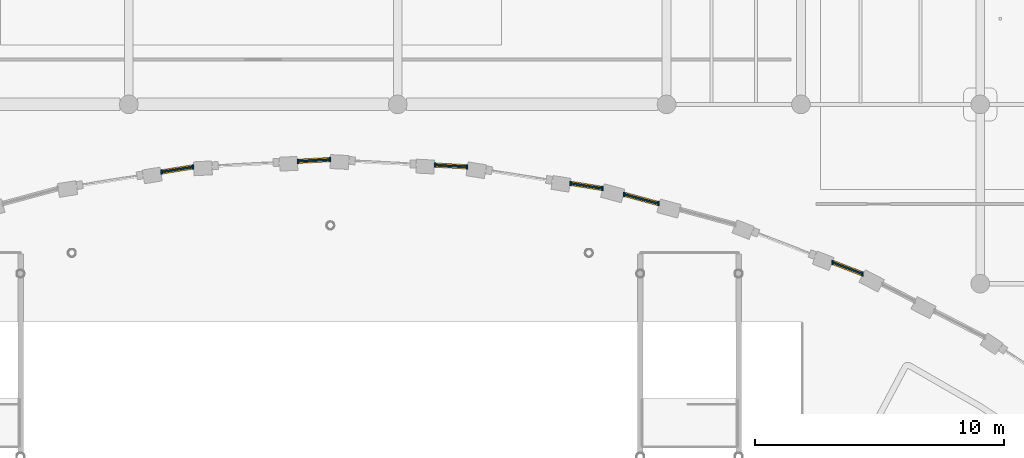
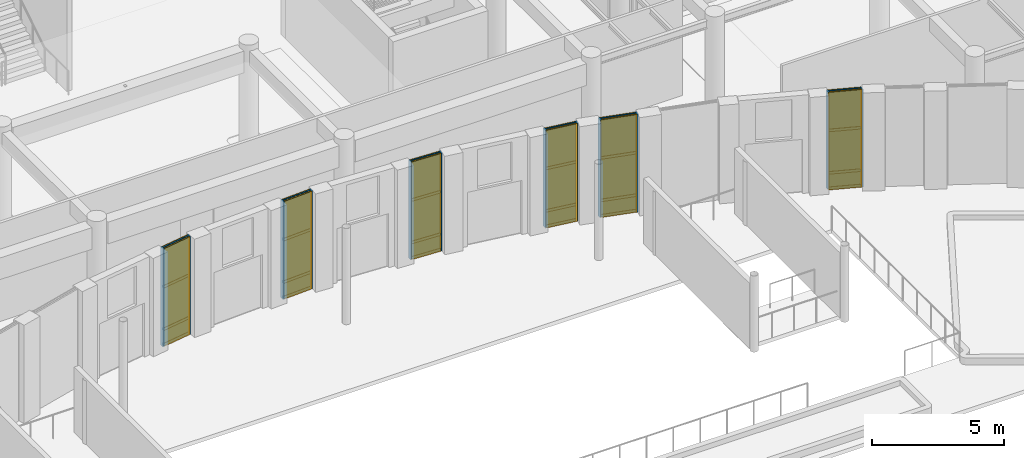
# One storey, part 77 of 122: 36 members, 18 plates, 6 curtain walls.
"""IFC4 building model written with IfcOpenShell, lengths in metres."""

from ifc_helpers import new_model, si_unit, direction, frame, frame_2d, origin, origin_2d, place, context, subcontext, project, spatial, rectangle, extrude, material, layer, layer_set, material_profile, profile_set, type_object, element, aggregate, save


model = new_model("IFC4")

# Units and contexts
model_context = context("Model", 3, precision=1e-05, world=origin(), true_north=direction((0.0, 1.0)))
body_context = subcontext(model_context, "Body", "Model", "MODEL_VIEW")
ifc_project = project(units=[si_unit("LENGTHUNIT", "METRE"), si_unit("AREAUNIT", "SQUARE_METRE"), si_unit("VOLUMEUNIT", "CUBIC_METRE"), si_unit("PLANEANGLEUNIT", "RADIAN"), si_unit("MASSUNIT", "GRAM", prefix="KILO")], contexts=[model_context])

# Member
ifc_material_1 = material(Name="Anodised Bronze Aluminium 6063-T6", Category="aluminium")
ifc_material_profile_1 = material_profile(ifc_material_1, rectangle(XDim=0.06005859375, YDim=0.1201171875, at=origin_2d()), Name="ALU TRANSOM 60x120")
ifc_profile_set_1 = profile_set([ifc_material_profile_1], Name="Anodised Bronze Aluminium 6063-T6")
member_type_1 = type_object("IfcMemberType", Name="Curtain-Wall Light Transom 60x120", PredefinedType="USERDEFINED", material=ifc_profile_set_1)
site_placement = place(None, origin())
building_placement = place(site_placement, origin())
storey_placement = place(building_placement, origin())
member_1_placement = place(storey_placement, frame((69.7392578125, 20.291259765625, 0.0400390625), z_axis=(0.987386865911, 0.158326172904, 0.0), x_axis=(-0.158326172904, 0.987386865911, 0.0)))
member_1 = element("IfcMember", 1, at=member_1_placement, type_object=member_type_1, Name="Transom CWT-03 CW-V5-SLOT-C08-2-T01.1", ObjectType="TRANSOM", PredefinedType="USERDEFINED", context=body_context, shape_type="SweptSolid", body=[
    extrude(rectangle(XDim=0.06005859375, YDim=0.1201171875, at=origin_2d()), origin(), (0.0, 0.0, 1.0), 1.2197265625),
])

member_2_placement = place(storey_placement, frame((69.7392578125, 20.291259765625, 0.75), z_axis=(0.987386865911, 0.158326172904, 0.0), x_axis=(-0.158326172904, 0.987386865911, 0.0)))
member_2 = element("IfcMember", 2, at=member_2_placement, type_object=member_type_1, Name="Transom CWT-03 CW-V5-SLOT-C08-2-T01.2", ObjectType="TRANSOM", PredefinedType="USERDEFINED", context=body_context, shape_type="SweptSolid", body=[
    extrude(rectangle(XDim=0.06005859375, YDim=0.1201171875, at=origin_2d()), origin(), (0.0, 0.0, 1.0), 1.2197265625),
])

member_3_placement = place(storey_placement, frame((69.7392578125, 20.291259765625, 2.71044921875), z_axis=(0.987386865911, 0.158326172904, 0.0), x_axis=(-0.158326172904, 0.987386865911, 0.0)))
member_3 = element("IfcMember", 3, at=member_3_placement, type_object=member_type_1, Name="Transom CWT-03 CW-V5-SLOT-C08-2-T01.3", ObjectType="TRANSOM", PredefinedType="USERDEFINED", context=body_context, shape_type="SweptSolid", body=[
    extrude(rectangle(XDim=0.06005859375, YDim=0.1201171875, at=origin_2d()), origin(), (0.0, 0.0, 1.0), 1.2197265625),
])

member_4_placement = place(storey_placement, frame((69.7392578125, 20.291259765625, 4.47998046875), z_axis=(0.987386865911, 0.158326172904, 0.0), x_axis=(-0.158326172904, 0.987386865911, 0.0)))
member_4 = element("IfcMember", 4, at=member_4_placement, type_object=member_type_1, Name="Transom CWT-03 CW-V5-SLOT-C08-2-T01.4", ObjectType="TRANSOM", PredefinedType="USERDEFINED", context=body_context, shape_type="SweptSolid", body=[
    extrude(rectangle(XDim=0.06005859375, YDim=0.1201171875, at=origin_2d()), origin(), (0.0, 0.0, 1.0), 1.2197265625),
])

member_5_placement = place(storey_placement, frame((75.22705078125, 20.717529296875, 0.0400390625), z_axis=(0.998602859917, 0.052842484469, 0.0), x_axis=(-0.052842484469, 0.998602859917, 0.0)))
member_5 = element("IfcMember", 5, at=member_5_placement, type_object=member_type_1, Name="Transom CWT-03 CW-V5-SLOT-C09-2-T01.1", ObjectType="TRANSOM", PredefinedType="USERDEFINED", context=body_context, shape_type="SweptSolid", body=[
    extrude(rectangle(XDim=0.06005859375, YDim=0.1201171875, at=origin_2d()), origin(), (0.0, 0.0, 1.0), 1.2197265625),
])

member_6_placement = place(storey_placement, frame((75.22705078125, 20.717529296875, 0.75), z_axis=(0.998602859917, 0.052842484469, 0.0), x_axis=(-0.052842484469, 0.998602859917, 0.0)))
member_6 = element("IfcMember", 6, at=member_6_placement, type_object=member_type_1, Name="Transom CWT-03 CW-V5-SLOT-C09-2-T01.2", ObjectType="TRANSOM", PredefinedType="USERDEFINED", context=body_context, shape_type="SweptSolid", body=[
    extrude(rectangle(XDim=0.06005859375, YDim=0.1201171875, at=origin_2d()), origin(), (0.0, 0.0, 1.0), 1.2197265625),
])

member_7_placement = place(storey_placement, frame((75.22705078125, 20.717529296875, 2.71044921875), z_axis=(0.998602859917, 0.052842484469, 0.0), x_axis=(-0.052842484469, 0.998602859917, 0.0)))
member_7 = element("IfcMember", 7, at=member_7_placement, type_object=member_type_1, Name="Transom CWT-03 CW-V5-SLOT-C09-2-T01.3", ObjectType="TRANSOM", PredefinedType="USERDEFINED", context=body_context, shape_type="SweptSolid", body=[
    extrude(rectangle(XDim=0.06005859375, YDim=0.1201171875, at=origin_2d()), origin(), (0.0, 0.0, 1.0), 1.2197265625),
])

member_8_placement = place(storey_placement, frame((75.22705078125, 20.717529296875, 4.47998046875), z_axis=(0.998602859917, 0.052842484469, 0.0), x_axis=(-0.052842484469, 0.998602859917, 0.0)))
member_8 = element("IfcMember", 8, at=member_8_placement, type_object=member_type_1, Name="Transom CWT-03 CW-V5-SLOT-C09-2-T01.4", ObjectType="TRANSOM", PredefinedType="USERDEFINED", context=body_context, shape_type="SweptSolid", body=[
    extrude(rectangle(XDim=0.06005859375, YDim=0.1201171875, at=origin_2d()), origin(), (0.0, 0.0, 1.0), 1.2197265625),
])

member_9_placement = place(storey_placement, frame((80.72900390625, 20.560546875, 0.0400390625), z_axis=(0.998602859917, -0.052842484469, 0.0), x_axis=(0.052842484469, 0.998602859917, 0.0)))
member_9 = element("IfcMember", 9, at=member_9_placement, type_object=member_type_1, Name="Transom CWT-03 CW-V5-SLOT-C10-2-T01.1", ObjectType="TRANSOM", PredefinedType="USERDEFINED", context=body_context, shape_type="SweptSolid", body=[
    extrude(rectangle(XDim=0.06005859375, YDim=0.1201171875, at=origin_2d()), origin(), (0.0, 0.0, 1.0), 1.2197265625),
])

member_10_placement = place(storey_placement, frame((80.72900390625, 20.560546875, 0.75), z_axis=(0.998602859917, -0.052842484469, 0.0), x_axis=(0.052842484469, 0.998602859917, 0.0)))
member_10 = element("IfcMember", 10, at=member_10_placement, type_object=member_type_1, Name="Transom CWT-03 CW-V5-SLOT-C10-2-T01.2", ObjectType="TRANSOM", PredefinedType="USERDEFINED", context=body_context, shape_type="SweptSolid", body=[
    extrude(rectangle(XDim=0.06005859375, YDim=0.1201171875, at=origin_2d()), origin(), (0.0, 0.0, 1.0), 1.2197265625),
])

member_11_placement = place(storey_placement, frame((80.72900390625, 20.560546875, 2.71044921875), z_axis=(0.998602859917, -0.052842484469, 0.0), x_axis=(0.052842484469, 0.998602859917, 0.0)))
member_11 = element("IfcMember", 11, at=member_11_placement, type_object=member_type_1, Name="Transom CWT-03 CW-V5-SLOT-C10-2-T01.3", ObjectType="TRANSOM", PredefinedType="USERDEFINED", context=body_context, shape_type="SweptSolid", body=[
    extrude(rectangle(XDim=0.06005859375, YDim=0.1201171875, at=origin_2d()), origin(), (0.0, 0.0, 1.0), 1.2197265625),
])

member_12_placement = place(storey_placement, frame((80.72900390625, 20.560546875, 4.47998046875), z_axis=(0.998602859917, -0.052842484469, 0.0), x_axis=(0.052842484469, 0.998602859917, 0.0)))
member_12 = element("IfcMember", 12, at=member_12_placement, type_object=member_type_1, Name="Transom CWT-03 CW-V5-SLOT-C10-2-T01.4", ObjectType="TRANSOM", PredefinedType="USERDEFINED", context=body_context, shape_type="SweptSolid", body=[
    extrude(rectangle(XDim=0.06005859375, YDim=0.1201171875, at=origin_2d()), origin(), (0.0, 0.0, 1.0), 1.2197265625),
])

member_13_placement = place(storey_placement, frame((86.18359375, 19.822509765625, 0.0400390625), z_axis=(0.987386865911, -0.158326172904, 0.0), x_axis=(0.158326172904, 0.987386865911, 0.0)))
member_13 = element("IfcMember", 13, at=member_13_placement, type_object=member_type_1, Name="Transom CWT-03 CW-V5-SLOT-C11-2-T01.1", ObjectType="TRANSOM", PredefinedType="USERDEFINED", context=body_context, shape_type="SweptSolid", body=[
    extrude(rectangle(XDim=0.06005859375, YDim=0.1201171875, at=origin_2d()), origin(), (0.0, 0.0, 1.0), 1.2197265625),
])

member_14_placement = place(storey_placement, frame((86.18359375, 19.822509765625, 0.75), z_axis=(0.987386865911, -0.158326172904, 0.0), x_axis=(0.158326172904, 0.987386865911, 0.0)))
member_14 = element("IfcMember", 14, at=member_14_placement, type_object=member_type_1, Name="Transom CWT-03 CW-V5-SLOT-C11-2-T01.2", ObjectType="TRANSOM", PredefinedType="USERDEFINED", context=body_context, shape_type="SweptSolid", body=[
    extrude(rectangle(XDim=0.06005859375, YDim=0.1201171875, at=origin_2d()), origin(), (0.0, 0.0, 1.0), 1.2197265625),
])

member_15_placement = place(storey_placement, frame((86.18359375, 19.822509765625, 2.71044921875), z_axis=(0.987386865911, -0.158326172904, 0.0), x_axis=(0.158326172904, 0.987386865911, 0.0)))
member_15 = element("IfcMember", 15, at=member_15_placement, type_object=member_type_1, Name="Transom CWT-03 CW-V5-SLOT-C11-2-T01.3", ObjectType="TRANSOM", PredefinedType="USERDEFINED", context=body_context, shape_type="SweptSolid", body=[
    extrude(rectangle(XDim=0.06005859375, YDim=0.1201171875, at=origin_2d()), origin(), (0.0, 0.0, 1.0), 1.2197265625),
])

member_16_placement = place(storey_placement, frame((86.18359375, 19.822509765625, 4.47998046875), z_axis=(0.987386865911, -0.158326172904, 0.0), x_axis=(0.158326172904, 0.987386865911, 0.0)))
member_16 = element("IfcMember", 16, at=member_16_placement, type_object=member_type_1, Name="Transom CWT-03 CW-V5-SLOT-C11-2-T01.4", ObjectType="TRANSOM", PredefinedType="USERDEFINED", context=body_context, shape_type="SweptSolid", body=[
    extrude(rectangle(XDim=0.06005859375, YDim=0.1201171875, at=origin_2d()), origin(), (0.0, 0.0, 1.0), 1.2197265625),
])

member_17_placement = place(storey_placement, frame((88.325439453125, 19.381103515625, 0.0400390625), z_axis=(0.965090893279, -0.261915191828, 0.0), x_axis=(0.261915191828, 0.965090893279, 0.0)))
member_17 = element("IfcMember", 17, at=member_17_placement, type_object=member_type_1, Name="Transom CWT-03 CW-V5-SLOT-C12-1-T01.1", ObjectType="TRANSOM", PredefinedType="USERDEFINED", context=body_context, shape_type="SweptSolid", body=[
    extrude(rectangle(XDim=0.06005859375, YDim=0.1201171875, at=origin_2d()), origin(), (0.0, 0.0, 1.0), 1.375),
])

member_18_placement = place(storey_placement, frame((88.325439453125, 19.381103515625, 0.75), z_axis=(0.965090893279, -0.261915191828, 0.0), x_axis=(0.261915191828, 0.965090893279, 0.0)))
member_18 = element("IfcMember", 18, at=member_18_placement, type_object=member_type_1, Name="Transom CWT-03 CW-V5-SLOT-C12-1-T01.2", ObjectType="TRANSOM", PredefinedType="USERDEFINED", context=body_context, shape_type="SweptSolid", body=[
    extrude(rectangle(XDim=0.06005859375, YDim=0.1201171875, at=origin_2d()), origin(), (0.0, 0.0, 1.0), 1.375),
])

member_19_placement = place(storey_placement, frame((88.325439453125, 19.381103515625, 2.71044921875), z_axis=(0.965090893279, -0.261915191828, 0.0), x_axis=(0.261915191828, 0.965090893279, 0.0)))
member_19 = element("IfcMember", 19, at=member_19_placement, type_object=member_type_1, Name="Transom CWT-03 CW-V5-SLOT-C12-1-T01.3", ObjectType="TRANSOM", PredefinedType="USERDEFINED", context=body_context, shape_type="SweptSolid", body=[
    extrude(rectangle(XDim=0.06005859375, YDim=0.1201171875, at=origin_2d()), origin(), (0.0, 0.0, 1.0), 1.375),
])

member_20_placement = place(storey_placement, frame((88.325439453125, 19.381103515625, 4.47998046875), z_axis=(0.965090893279, -0.261915191828, 0.0), x_axis=(0.261915191828, 0.965090893279, 0.0)))
member_20 = element("IfcMember", 20, at=member_20_placement, type_object=member_type_1, Name="Transom CWT-03 CW-V5-SLOT-C12-1-T01.4", ObjectType="TRANSOM", PredefinedType="USERDEFINED", context=body_context, shape_type="SweptSolid", body=[
    extrude(rectangle(XDim=0.06005859375, YDim=0.1201171875, at=origin_2d()), origin(), (0.0, 0.0, 1.0), 1.375),
])

member_21_placement = place(storey_placement, frame((96.706787109375, 16.64208984375, 0.0400390625), z_axis=(0.931914493166, -0.362678063062, 0.0), x_axis=(0.362678063062, 0.931914493166, 0.0)))
member_21 = element("IfcMember", 21, at=member_21_placement, type_object=member_type_1, Name="Transom CWT-03 CW-V5-SLOT-C13-2-T01.1", ObjectType="TRANSOM", PredefinedType="USERDEFINED", context=body_context, shape_type="SweptSolid", body=[
    extrude(rectangle(XDim=0.06005859375, YDim=0.1201171875, at=origin_2d()), origin(), (0.0, 0.0, 1.0), 1.2197265625),
])

member_22_placement = place(storey_placement, frame((96.706787109375, 16.64208984375, 0.75), z_axis=(0.931914493166, -0.362678063062, 0.0), x_axis=(0.362678063062, 0.931914493166, 0.0)))
member_22 = element("IfcMember", 22, at=member_22_placement, type_object=member_type_1, Name="Transom CWT-03 CW-V5-SLOT-C13-2-T01.2", ObjectType="TRANSOM", PredefinedType="USERDEFINED", context=body_context, shape_type="SweptSolid", body=[
    extrude(rectangle(XDim=0.06005859375, YDim=0.1201171875, at=origin_2d()), origin(), (0.0, 0.0, 1.0), 1.2197265625),
])

member_23_placement = place(storey_placement, frame((96.706787109375, 16.64208984375, 2.71044921875), z_axis=(0.931914493166, -0.362678063062, 0.0), x_axis=(0.362678063062, 0.931914493166, 0.0)))
member_23 = element("IfcMember", 23, at=member_23_placement, type_object=member_type_1, Name="Transom CWT-03 CW-V5-SLOT-C13-2-T01.3", ObjectType="TRANSOM", PredefinedType="USERDEFINED", context=body_context, shape_type="SweptSolid", body=[
    extrude(rectangle(XDim=0.06005859375, YDim=0.1201171875, at=origin_2d()), origin(), (0.0, 0.0, 1.0), 1.2197265625),
])

member_24_placement = place(storey_placement, frame((96.706787109375, 16.64208984375, 4.47998046875), z_axis=(0.931914493166, -0.362678063062, 0.0), x_axis=(0.362678063062, 0.931914493166, 0.0)))
member_24 = element("IfcMember", 24, at=member_24_placement, type_object=member_type_1, Name="Transom CWT-03 CW-V5-SLOT-C13-2-T01.4", ObjectType="TRANSOM", PredefinedType="USERDEFINED", context=body_context, shape_type="SweptSolid", body=[
    extrude(rectangle(XDim=0.06005859375, YDim=0.1201171875, at=origin_2d()), origin(), (0.0, 0.0, 1.0), 1.2197265625),
])

ifc_material_profile_2 = material_profile(ifc_material_1, rectangle(XDim=0.06005859375, YDim=0.179931640625, at=origin_2d()), Name="ALU MULLION 60x180")
ifc_profile_set_2 = profile_set([ifc_material_profile_2], Name="Anodised Bronze Aluminium 6063-T6")
member_type_2 = type_object("IfcMemberType", Name="Curtain-Wall Primary Mullion 60x180", PredefinedType="MULLION", material=ifc_profile_set_2)
member_25_placement = place(storey_placement, frame((69.70458984375, 20.28564453125, 0.0), z_axis=(0.0, 0.0, 1.0), x_axis=(1.0, 0.0, 0.0)))
member_25 = element("IfcMember", 25, at=member_25_placement, type_object=member_type_2, Name="Mullion CWM-01 CW-V5-SLOT-C08-2-M01", PredefinedType="MULLION", context=body_context, shape_type="SweptSolid", body=[
    extrude(rectangle(XDim=0.06005859375, YDim=0.179931640625, at=origin_2d()), origin(), (0.0, 0.0, 1.0), 4.52001953125),
])

member_26_placement = place(storey_placement, frame((70.97802734375, 20.489990234375, 0.0), z_axis=(0.0, 0.0, 1.0), x_axis=(1.0, 0.0, 0.0)))
member_26 = element("IfcMember", 26, at=member_26_placement, type_object=member_type_2, Name="Mullion CWM-01 CW-V5-SLOT-C08-2-M02", PredefinedType="MULLION", context=body_context, shape_type="SweptSolid", body=[
    extrude(rectangle(XDim=0.06005859375, YDim=0.179931640625, at=origin_2d()), origin(), (0.0, 0.0, 1.0), 4.52001953125),
])

member_27_placement = place(storey_placement, frame((75.19189453125, 20.715576171875, 0.0), z_axis=(0.0, 0.0, 1.0), x_axis=(1.0, 0.0, 0.0)))
member_27 = element("IfcMember", 27, at=member_27_placement, type_object=member_type_2, Name="Mullion CWM-01 CW-V5-SLOT-C09-2-M01", PredefinedType="MULLION", context=body_context, shape_type="SweptSolid", body=[
    extrude(rectangle(XDim=0.06005859375, YDim=0.179931640625, at=origin_2d()), origin(), (0.0, 0.0, 1.0), 4.52001953125),
])

member_28_placement = place(storey_placement, frame((76.47998046875, 20.783935546875, 0.0), z_axis=(0.0, 0.0, 1.0), x_axis=(1.0, 0.0, 0.0)))
member_28 = element("IfcMember", 28, at=member_28_placement, type_object=member_type_2, Name="Mullion CWM-01 CW-V5-SLOT-C09-2-M02", PredefinedType="MULLION", context=body_context, shape_type="SweptSolid", body=[
    extrude(rectangle(XDim=0.06005859375, YDim=0.179931640625, at=origin_2d()), origin(), (0.0, 0.0, 1.0), 4.52001953125),
])

member_29_placement = place(storey_placement, frame((80.694091796875, 20.5625, 0.0), z_axis=(0.0, 0.0, 1.0), x_axis=(1.0, 0.0, 0.0)))
member_29 = element("IfcMember", 29, at=member_29_placement, type_object=member_type_2, Name="Mullion CWM-01 CW-V5-SLOT-C10-2-M01", PredefinedType="MULLION", context=body_context, shape_type="SweptSolid", body=[
    extrude(rectangle(XDim=0.06005859375, YDim=0.179931640625, at=origin_2d()), origin(), (0.0, 0.0, 1.0), 4.52001953125),
])

member_30_placement = place(storey_placement, frame((81.982177734375, 20.494140625, 0.0), z_axis=(0.0, 0.0, 1.0), x_axis=(1.0, 0.0, 0.0)))
member_30 = element("IfcMember", 30, at=member_30_placement, type_object=member_type_2, Name="Mullion CWM-01 CW-V5-SLOT-C10-2-M02", PredefinedType="MULLION", context=body_context, shape_type="SweptSolid", body=[
    extrude(rectangle(XDim=0.06005859375, YDim=0.179931640625, at=origin_2d()), origin(), (0.0, 0.0, 1.0), 4.52001953125),
])

member_31_placement = place(storey_placement, frame((86.149169921875, 19.828125, 0.0), z_axis=(0.0, 0.0, 1.0), x_axis=(1.0, 0.0, 0.0)))
member_31 = element("IfcMember", 31, at=member_31_placement, type_object=member_type_2, Name="Mullion CWM-01 CW-V5-SLOT-C11-2-M01", PredefinedType="MULLION", context=body_context, shape_type="SweptSolid", body=[
    extrude(rectangle(XDim=0.06005859375, YDim=0.179931640625, at=origin_2d()), origin(), (0.0, 0.0, 1.0), 4.52001953125),
])

member_32_placement = place(storey_placement, frame((87.422607421875, 19.623779296875, 0.0), z_axis=(0.0, 0.0, 1.0), x_axis=(1.0, 0.0, 0.0)))
member_32 = element("IfcMember", 32, at=member_32_placement, type_object=member_type_2, Name="Mullion CWM-01 CW-V5-SLOT-C11-2-M02", PredefinedType="MULLION", context=body_context, shape_type="SweptSolid", body=[
    extrude(rectangle(XDim=0.06005859375, YDim=0.179931640625, at=origin_2d()), origin(), (0.0, 0.0, 1.0), 4.52001953125),
])

member_33_placement = place(storey_placement, frame((88.291748046875, 19.39013671875, 0.0), z_axis=(0.0, 0.0, 1.0), x_axis=(1.0, 0.0, 0.0)))
member_33 = element("IfcMember", 33, at=member_33_placement, type_object=member_type_2, Name="Mullion CWM-01 CW-V5-SLOT-C12-1-M01", PredefinedType="MULLION", context=body_context, shape_type="SweptSolid", body=[
    extrude(rectangle(XDim=0.06005859375, YDim=0.179931640625, at=origin_2d()), origin(), (0.0, 0.0, 1.0), 4.52001953125),
])

member_34_placement = place(storey_placement, frame((89.68603515625, 19.01171875, 0.0), z_axis=(0.0, 0.0, 1.0), x_axis=(1.0, 0.0, 0.0)))
member_34 = element("IfcMember", 34, at=member_34_placement, type_object=member_type_2, Name="Mullion CWM-01 CW-V5-SLOT-C12-1-M02", PredefinedType="MULLION", context=body_context, shape_type="SweptSolid", body=[
    extrude(rectangle(XDim=0.06005859375, YDim=0.179931640625, at=origin_2d()), origin(), (0.0, 0.0, 1.0), 4.52001953125),
])

member_35_placement = place(storey_placement, frame((96.674072265625, 16.65478515625, 0.0), z_axis=(0.0, 0.0, 1.0), x_axis=(1.0, 0.0, 0.0)))
member_35 = element("IfcMember", 35, at=member_35_placement, type_object=member_type_2, Name="Mullion CWM-01 CW-V5-SLOT-C13-2-M01", PredefinedType="MULLION", context=body_context, shape_type="SweptSolid", body=[
    extrude(rectangle(XDim=0.06005859375, YDim=0.179931640625, at=origin_2d()), origin(), (0.0, 0.0, 1.0), 4.52001953125),
])

member_36_placement = place(storey_placement, frame((97.876220703125, 16.18701171875, 0.0), z_axis=(0.0, 0.0, 1.0), x_axis=(1.0, 0.0, 0.0)))
member_36 = element("IfcMember", 36, at=member_36_placement, type_object=member_type_2, Name="Mullion CWM-01 CW-V5-SLOT-C13-2-M02", PredefinedType="MULLION", context=body_context, shape_type="SweptSolid", body=[
    extrude(rectangle(XDim=0.06005859375, YDim=0.179931640625, at=origin_2d()), origin(), (0.0, 0.0, 1.0), 4.52001953125),
])

# Plate
ifc_material_2 = material(Name="Double Low-E Acoustic Laminated Glass", Category="glass")
ifc_layer_1 = layer(ifc_material_2, 0.0439453125, Name="Double Low-E Acoustic Laminated Glass")
ifc_layer_set_1 = layer_set([ifc_layer_1], Name="Double Low-E Acoustic Laminated Glass")
plate_type_1 = type_object("IfcPlateType", Name="Acoustic Laminated Low-E Glazing Unit 44", PredefinedType="CURTAIN_PANEL", material=ifc_layer_set_1)
plate_1_placement = place(storey_placement, frame((70.34130859375, 20.3876953125, 0.780029296875), z_axis=(0.0, 0.0, 1.0), x_axis=(0.987387293252, 0.158323507805, 0.0)))
plate_1 = element("IfcPlate", 37, at=plate_1_placement, type_object=plate_type_1, Name="Curtain Panel CWP-01 CW-V5-SLOT-C08-2-P01.2", PredefinedType="CURTAIN_PANEL", context=body_context, shape_type="SweptSolid", body=[
    extrude(rectangle(XDim=1.2197265625, YDim=0.0439453125, at=origin_2d()), origin(), (0.0, 0.0, 1.0), 1.900390625),
])

plate_2_placement = place(storey_placement, frame((70.34130859375, 20.3876953125, 2.740234375), z_axis=(0.0, 0.0, 1.0), x_axis=(0.987387293252, 0.158323507805, 0.0)))
plate_2 = element("IfcPlate", 38, at=plate_2_placement, type_object=plate_type_1, Name="Curtain Panel CWP-01 CW-V5-SLOT-C08-2-P01.3", PredefinedType="CURTAIN_PANEL", context=body_context, shape_type="SweptSolid", body=[
    extrude(rectangle(XDim=1.2197265625, YDim=0.0439453125, at=origin_2d()), origin(), (0.0, 0.0, 1.0), 1.709716796875),
])

plate_3_placement = place(storey_placement, frame((75.8359375, 20.749755859375, 0.780029296875), z_axis=(0.0, 0.0, 1.0), x_axis=(0.998597008561, 0.052952946032, 0.0)))
plate_3 = element("IfcPlate", 39, at=plate_3_placement, type_object=plate_type_1, Name="Curtain Panel CWP-01 CW-V5-SLOT-C09-2-P01.2", PredefinedType="CURTAIN_PANEL", context=body_context, shape_type="SweptSolid", body=[
    extrude(rectangle(XDim=1.2197265625, YDim=0.0439453125, at=origin_2d()), origin(), (0.0, 0.0, 1.0), 1.900390625),
])

plate_4_placement = place(storey_placement, frame((75.8359375, 20.749755859375, 2.740234375), z_axis=(0.0, 0.0, 1.0), x_axis=(0.998597008561, 0.052952946032, 0.0)))
plate_4 = element("IfcPlate", 40, at=plate_4_placement, type_object=plate_type_1, Name="Curtain Panel CWP-01 CW-V5-SLOT-C09-2-P01.3", PredefinedType="CURTAIN_PANEL", context=body_context, shape_type="SweptSolid", body=[
    extrude(rectangle(XDim=1.2197265625, YDim=0.0439453125, at=origin_2d()), origin(), (0.0, 0.0, 1.0), 1.709716796875),
])

plate_5_placement = place(storey_placement, frame((81.338134765625, 20.5283203125, 0.780029296875), z_axis=(0.0, 0.0, 1.0), x_axis=(0.998597008561, -0.052952946032, 0.0)))
plate_5 = element("IfcPlate", 41, at=plate_5_placement, type_object=plate_type_1, Name="Curtain Panel CWP-01 CW-V5-SLOT-C10-2-P01.2", PredefinedType="CURTAIN_PANEL", context=body_context, shape_type="SweptSolid", body=[
    extrude(rectangle(XDim=1.2197265625, YDim=0.0439453125, at=origin_2d()), origin(), (0.0, 0.0, 1.0), 1.900390625),
])

plate_6_placement = place(storey_placement, frame((81.338134765625, 20.5283203125, 2.740234375), z_axis=(0.0, 0.0, 1.0), x_axis=(0.998597008561, -0.052952946032, 0.0)))
plate_6 = element("IfcPlate", 42, at=plate_6_placement, type_object=plate_type_1, Name="Curtain Panel CWP-01 CW-V5-SLOT-C10-2-P01.3", PredefinedType="CURTAIN_PANEL", context=body_context, shape_type="SweptSolid", body=[
    extrude(rectangle(XDim=1.2197265625, YDim=0.0439453125, at=origin_2d()), origin(), (0.0, 0.0, 1.0), 1.709716796875),
])

plate_7_placement = place(storey_placement, frame((86.785888671875, 19.72607421875, 0.780029296875), z_axis=(0.0, 0.0, 1.0), x_axis=(0.987387293252, -0.158323507805, 0.0)))
plate_7 = element("IfcPlate", 43, at=plate_7_placement, type_object=plate_type_1, Name="Curtain Panel CWP-01 CW-V5-SLOT-C11-2-P01.2", PredefinedType="CURTAIN_PANEL", context=body_context, shape_type="SweptSolid", body=[
    extrude(rectangle(XDim=1.2197265625, YDim=0.0439453125, at=origin_2d()), origin(), (0.0, 0.0, 1.0), 1.900390625),
])

plate_8_placement = place(storey_placement, frame((86.785888671875, 19.72607421875, 2.740234375), z_axis=(0.0, 0.0, 1.0), x_axis=(0.987387293252, -0.158323507805, 0.0)))
plate_8 = element("IfcPlate", 44, at=plate_8_placement, type_object=plate_type_1, Name="Curtain Panel CWP-01 CW-V5-SLOT-C11-2-P01.3", PredefinedType="CURTAIN_PANEL", context=body_context, shape_type="SweptSolid", body=[
    extrude(rectangle(XDim=1.2197265625, YDim=0.0439453125, at=origin_2d()), origin(), (0.0, 0.0, 1.0), 1.709716796875),
])

plate_9_placement = place(storey_placement, frame((88.989013671875, 19.200927734375, 0.780029296875), z_axis=(0.0, 0.0, 1.0), x_axis=(0.965077787343, -0.261963479089, 0.0)))
plate_9 = element("IfcPlate", 45, at=plate_9_placement, type_object=plate_type_1, Name="Curtain Panel CWP-01 CW-V5-SLOT-C12-1-P01.2", PredefinedType="CURTAIN_PANEL", context=body_context, shape_type="SweptSolid", body=[
    extrude(rectangle(XDim=1.375, YDim=0.0439453125, at=origin_2d()), origin(), (0.0, 0.0, 1.0), 1.900390625),
])

plate_10_placement = place(storey_placement, frame((88.989013671875, 19.200927734375, 2.740234375), z_axis=(0.0, 0.0, 1.0), x_axis=(0.965077787343, -0.261963479089, 0.0)))
plate_10 = element("IfcPlate", 46, at=plate_10_placement, type_object=plate_type_1, Name="Curtain Panel CWP-01 CW-V5-SLOT-C12-1-P01.3", PredefinedType="CURTAIN_PANEL", context=body_context, shape_type="SweptSolid", body=[
    extrude(rectangle(XDim=1.375, YDim=0.0439453125, at=origin_2d()), origin(), (0.0, 0.0, 1.0), 1.709716796875),
])

plate_11_placement = place(storey_placement, frame((97.275146484375, 16.4208984375, 0.780029296875), z_axis=(0.0, 0.0, 1.0), x_axis=(0.931974338889, -0.362524249745, 0.0)))
plate_11 = element("IfcPlate", 47, at=plate_11_placement, type_object=plate_type_1, Name="Curtain Panel CWP-01 CW-V5-SLOT-C13-2-P01.2", PredefinedType="CURTAIN_PANEL", context=body_context, shape_type="SweptSolid", body=[
    extrude(rectangle(XDim=1.2197265625, YDim=0.0439453125, at=origin_2d()), origin(), (0.0, 0.0, 1.0), 1.900390625),
])

plate_12_placement = place(storey_placement, frame((97.275146484375, 16.4208984375, 2.740234375), z_axis=(0.0, 0.0, 1.0), x_axis=(0.931974338889, -0.362524249745, 0.0)))
plate_12 = element("IfcPlate", 48, at=plate_12_placement, type_object=plate_type_1, Name="Curtain Panel CWP-01 CW-V5-SLOT-C13-2-P01.3", PredefinedType="CURTAIN_PANEL", context=body_context, shape_type="SweptSolid", body=[
    extrude(rectangle(XDim=1.2197265625, YDim=0.0439453125, at=origin_2d()), origin(), (0.0, 0.0, 1.0), 1.709716796875),
])

ifc_material_3 = material(Name="Ceramic-Fritted Tempered Laminated Glass", Category="glass")
ifc_layer_2 = layer(ifc_material_3, 0.0458984375, Name="Ceramic-Fritted Tempered Laminated Glass")
ifc_layer_set_2 = layer_set([ifc_layer_2], Name="Ceramic-Fritted Tempered Laminated Glass")
plate_type_2 = type_object("IfcPlateType", Name="Ceramic-Frit Acoustic Spandrel Glazing 46", PredefinedType="CURTAIN_PANEL", material=ifc_layer_set_2)
plate_13_placement = place(storey_placement, frame((70.34130859375, 20.3876953125, 0.070068359375), z_axis=(0.0, 0.0, 1.0), x_axis=(0.987387293252, 0.158323507805, 0.0)))
plate_13 = element("IfcPlate", 49, at=plate_13_placement, type_object=plate_type_2, Name="Curtain Panel CWP-04 CW-V5-SLOT-C08-2-P01.1", PredefinedType="CURTAIN_PANEL", context=body_context, shape_type="SweptSolid", body=[
    extrude(rectangle(XDim=1.2197265625, YDim=0.0458984375, at=origin_2d()), origin(), (0.0, 0.0, 1.0), 0.64990234375),
])

plate_14_placement = place(storey_placement, frame((75.8359375, 20.749755859375, 0.070068359375), z_axis=(0.0, 0.0, 1.0), x_axis=(0.998597008561, 0.052952946032, 0.0)))
plate_14 = element("IfcPlate", 50, at=plate_14_placement, type_object=plate_type_2, Name="Curtain Panel CWP-04 CW-V5-SLOT-C09-2-P01.1", PredefinedType="CURTAIN_PANEL", context=body_context, shape_type="SweptSolid", body=[
    extrude(rectangle(XDim=1.2197265625, YDim=0.0458984375, at=origin_2d()), origin(), (0.0, 0.0, 1.0), 0.64990234375),
])

plate_15_placement = place(storey_placement, frame((81.338134765625, 20.5283203125, 0.070068359375), z_axis=(0.0, 0.0, 1.0), x_axis=(0.998597008561, -0.052952946032, 0.0)))
plate_15 = element("IfcPlate", 51, at=plate_15_placement, type_object=plate_type_2, Name="Curtain Panel CWP-04 CW-V5-SLOT-C10-2-P01.1", PredefinedType="CURTAIN_PANEL", context=body_context, shape_type="SweptSolid", body=[
    extrude(rectangle(XDim=1.2197265625, YDim=0.0458984375, at=origin_2d()), origin(), (0.0, 0.0, 1.0), 0.64990234375),
])

plate_16_placement = place(storey_placement, frame((86.785888671875, 19.72607421875, 0.070068359375), z_axis=(0.0, 0.0, 1.0), x_axis=(0.987387293252, -0.158323507805, 0.0)))
plate_16 = element("IfcPlate", 52, at=plate_16_placement, type_object=plate_type_2, Name="Curtain Panel CWP-04 CW-V5-SLOT-C11-2-P01.1", PredefinedType="CURTAIN_PANEL", context=body_context, shape_type="SweptSolid", body=[
    extrude(rectangle(XDim=1.2197265625, YDim=0.0458984375, at=origin_2d()), origin(), (0.0, 0.0, 1.0), 0.64990234375),
])

plate_17_placement = place(storey_placement, frame((88.989013671875, 19.200927734375, 0.070068359375), z_axis=(0.0, 0.0, 1.0), x_axis=(0.965077787343, -0.261963479089, 0.0)))
plate_17 = element("IfcPlate", 53, at=plate_17_placement, type_object=plate_type_2, Name="Curtain Panel CWP-04 CW-V5-SLOT-C12-1-P01.1", PredefinedType="CURTAIN_PANEL", context=body_context, shape_type="SweptSolid", body=[
    extrude(rectangle(XDim=1.375, YDim=0.0458984375, at=origin_2d()), origin(), (0.0, 0.0, 1.0), 0.64990234375),
])

plate_18_placement = place(storey_placement, frame((97.275146484375, 16.4208984375, 0.070068359375), z_axis=(0.0, 0.0, 1.0), x_axis=(0.931974338889, -0.362524249745, 0.0)))
plate_18 = element("IfcPlate", 54, at=plate_18_placement, type_object=plate_type_2, Name="Curtain Panel CWP-04 CW-V5-SLOT-C13-2-P01.1", PredefinedType="CURTAIN_PANEL", context=body_context, shape_type="SweptSolid", body=[
    extrude(rectangle(XDim=1.2197265625, YDim=0.0458984375, at=origin_2d()), origin(), (0.0, 0.0, 1.0), 0.64990234375),
])

# Site, building, storey
site = spatial("IfcSite", under=ifc_project, at=site_placement, CompositionType="ELEMENT")
building = spatial("IfcBuilding", under=site, at=building_placement, Name="Tazoul Stagehouse", CompositionType="ELEMENT")
storey = spatial("IfcBuildingStorey", under=building, at=storey_placement, Name="L00", CompositionType="ELEMENT", Elevation=0.0)

# Curtain wall
curtain_wall_type = type_object("IfcCurtainWallType", Name="Foyer Clear Solar-Control Curtain Wall", PredefinedType="NOTDEFINED", material=ifc_material_1)
curtain_wall_1_placement = place(storey_placement, frame((69.70458984375, 20.28564453125, 0.0), z_axis=(0.0, 0.0, 1.0), x_axis=(0.987368472667, 0.158440838118, 0.0)))
curtain_wall_1 = element("IfcCurtainWall", 55, at=curtain_wall_1_placement, inside=storey, type_object=curtain_wall_type, Name="L00 Curtain Wall CW-02 (CW-V5-SLOT-C08-2)", PredefinedType="NOTDEFINED", context=body_context, shape_type="SweptSolid", body=[
    extrude(rectangle(XDim=1.289794921875, YDim=0.179931640625, at=frame_2d((0.64501953125, 0.0))), origin(), (0.0, 0.0, 1.0), 4.52001953125),
])

aggregate(curtain_wall_1, [member_25, member_26, member_1, member_2, member_3, member_4, plate_13, plate_1, plate_2])

curtain_wall_2_placement = place(storey_placement, frame((75.19189453125, 20.715576171875, 0.0), z_axis=(0.0, 0.0, 1.0), x_axis=(0.998594728335, 0.052995929479, 0.0)))
curtain_wall_2 = element("IfcCurtainWall", 56, at=curtain_wall_2_placement, inside=storey, type_object=curtain_wall_type, Name="L00 Curtain Wall CW-02 (CW-V5-SLOT-C09-2)", PredefinedType="NOTDEFINED", context=body_context, shape_type="SweptSolid", body=[
    extrude(rectangle(XDim=1.289794921875, YDim=0.179931640625, at=frame_2d((0.64501953125, 0.0))), origin(), (0.0, 0.0, 1.0), 4.52001953125),
])

aggregate(curtain_wall_2, [member_27, member_28, member_5, member_6, member_7, member_8, plate_14, plate_3, plate_4])

curtain_wall_3_placement = place(storey_placement, frame((80.694091796875, 20.5625, 0.0), z_axis=(0.0, 0.0, 1.0), x_axis=(0.998594728335, -0.052995929479, 0.0)))
curtain_wall_3 = element("IfcCurtainWall", 57, at=curtain_wall_3_placement, inside=storey, type_object=curtain_wall_type, Name="L00 Curtain Wall CW-02 (CW-V5-SLOT-C10-2)", PredefinedType="NOTDEFINED", context=body_context, shape_type="SweptSolid", body=[
    extrude(rectangle(XDim=1.289794921875, YDim=0.179931640625, at=frame_2d((0.64501953125, 0.0))), origin(), (0.0, 0.0, 1.0), 4.52001953125),
])

aggregate(curtain_wall_3, [member_29, member_30, member_9, member_10, member_11, member_12, plate_15, plate_5, plate_6])

curtain_wall_4_placement = place(storey_placement, frame((86.149169921875, 19.828125, 0.0), z_axis=(0.0, 0.0, 1.0), x_axis=(0.987368472667, -0.158440838118, 0.0)))
curtain_wall_4 = element("IfcCurtainWall", 58, at=curtain_wall_4_placement, inside=storey, type_object=curtain_wall_type, Name="L00 Curtain Wall CW-02 (CW-V5-SLOT-C11-2)", PredefinedType="NOTDEFINED", context=body_context, shape_type="SweptSolid", body=[
    extrude(rectangle(XDim=1.289794921875, YDim=0.179931640625, at=frame_2d((0.64501953125, 0.0))), origin(), (0.0, 0.0, 1.0), 4.52001953125),
])

aggregate(curtain_wall_4, [member_31, member_32, member_13, member_14, member_15, member_16, plate_16, plate_7, plate_8])

curtain_wall_5_placement = place(storey_placement, frame((88.291748046875, 19.39013671875, 0.0), z_axis=(0.0, 0.0, 1.0), x_axis=(0.965086767029, -0.261930395534, 0.0)))
curtain_wall_5 = element("IfcCurtainWall", 59, at=curtain_wall_5_placement, inside=storey, type_object=curtain_wall_type, Name="L00 Curtain Wall CW-02 (CW-V5-SLOT-C12-1)", PredefinedType="NOTDEFINED", context=body_context, shape_type="SweptSolid", body=[
    extrude(rectangle(XDim=1.44482421875, YDim=0.179931640625, at=frame_2d((0.722412109375, 0.0))), origin(), (0.0, 0.0, 1.0), 4.52001953125),
])

aggregate(curtain_wall_5, [member_33, member_34, member_17, member_18, member_19, member_20, plate_17, plate_9, plate_10])

curtain_wall_6_placement = place(storey_placement, frame((96.674072265625, 16.65478515625, 0.0), z_axis=(0.0, 0.0, 1.0), x_axis=(0.931933616391, -0.362628921406, 0.0)))
curtain_wall_6 = element("IfcCurtainWall", 60, at=curtain_wall_6_placement, inside=storey, type_object=curtain_wall_type, Name="L00 Curtain Wall CW-02 (CW-V5-SLOT-C13-2)", PredefinedType="NOTDEFINED", context=body_context, shape_type="SweptSolid", body=[
    extrude(rectangle(XDim=1.2900390625, YDim=0.179931640625, at=frame_2d((0.64501953125, 0.0))), origin(), (0.0, 0.0, 1.0), 4.52001953125),
])

aggregate(curtain_wall_6, [member_35, member_36, member_21, member_22, member_23, member_24, plate_18, plate_11, plate_12])

save(model, "model.ifc")
